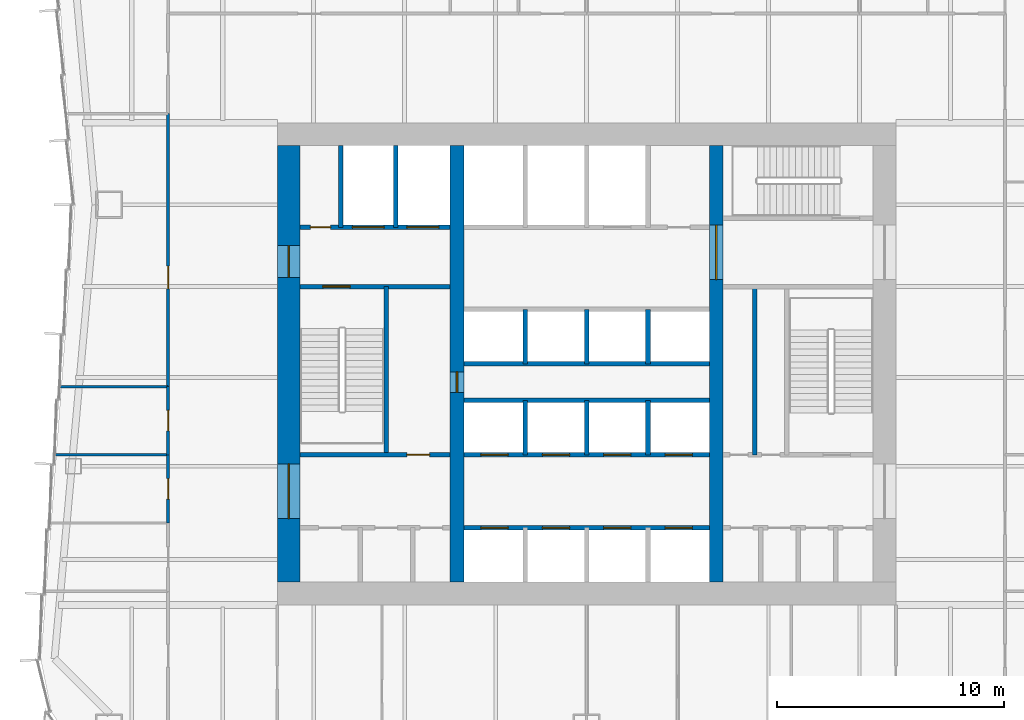
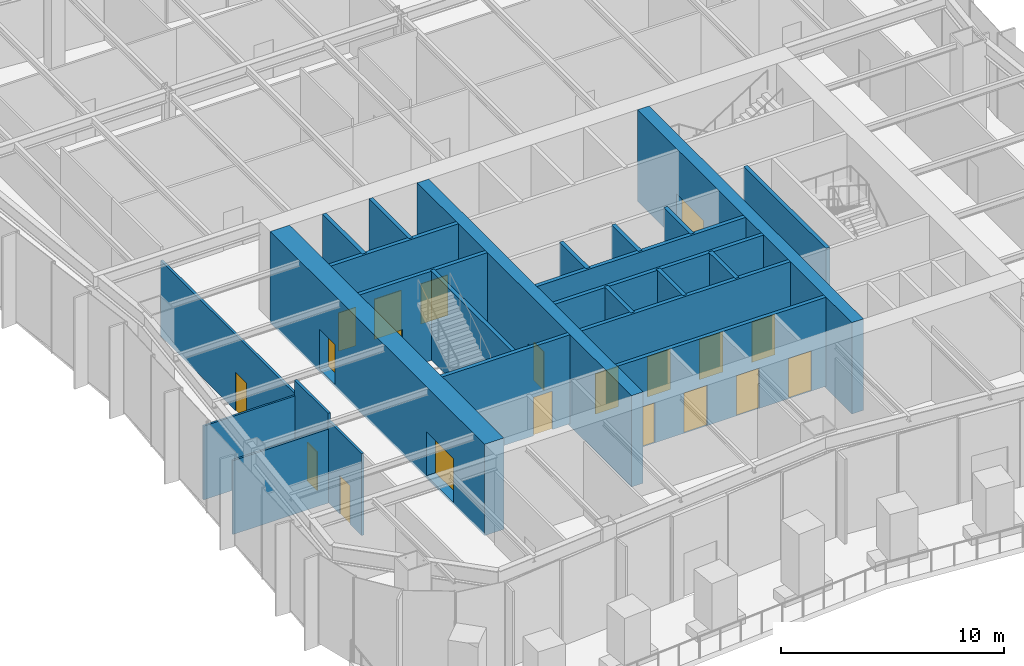
# One storey, part 9 of 15: 25 walls, 20 doors, 20 openings.
"""IFC4 building model written with IfcOpenShell, lengths in metres."""

from ifc_helpers import new_model, si_unit, direction, frame, frame_2d, origin, place, context, subcontext, project, spatial, rectangle, extrude, material, layer, layer_set, type_object, element, fill, save


model = new_model("IFC4")

# Units and contexts
model_context = context("Model", 3, precision=1e-05, world=origin(), true_north=direction((0.0, 1.0)))
body_context = subcontext(model_context, "Body", "Model", "MODEL_VIEW")
ifc_project = project(units=[si_unit("LENGTHUNIT", "METRE"), si_unit("AREAUNIT", "SQUARE_METRE"), si_unit("VOLUMEUNIT", "CUBIC_METRE"), si_unit("PLANEANGLEUNIT", "RADIAN"), si_unit("MASSUNIT", "GRAM", prefix="KILO")], contexts=[model_context])

# Site, building, storey
site_placement = place(None, origin())
site = spatial("IfcSite", under=ifc_project, at=site_placement, CompositionType="ELEMENT")
building_placement = place(site_placement, origin())
building = spatial("IfcBuilding", under=site, at=building_placement, Name="Verdant Reach Tower", CompositionType="ELEMENT")
storey_placement = place(building_placement, frame((0.0, 0.0, 121.0)))
storey = spatial("IfcBuildingStorey", under=building, at=storey_placement, Name="L27", CompositionType="ELEMENT", Elevation=121.0)

# Wall
ifc_material_1 = material(Name="Gypsum board on steel studs", Category="steel")
ifc_layer_1 = layer(ifc_material_1, 0.199951171875)
ifc_layer_set_1 = layer_set([ifc_layer_1], Name="CO-WALL-ROOM")
wall_type_1 = type_object("IfcWallType", Name="CO-WALL-ROOM", PredefinedType="PARTITIONING", material=ifc_layer_set_1)
wall_1_placement = place(storey_placement, frame((7.39990234375, 24.0, 0.0), z_axis=(0.0, 0.0, 1.0), x_axis=(0.0, 1.0, 0.0)))
element("IfcWall", 1, at=wall_1_placement, inside=storey, type_object=wall_type_1, Name="Core partition, L27", PredefinedType="PARTITIONING", context=body_context, shape_type="SweptSolid", body=[
    extrude(rectangle(XDim=7.39990234375, YDim=0.199951171875, at=frame_2d((3.699951171875, 0.0))), origin(), (0.0, 0.0, 1.0), 4.8701171875),
])

# Wall, openings, doors
ifc_material_2 = material(Name="Concrete C40/50", Category="concrete")
ifc_layer_2 = layer(ifc_material_2, 0.199951171875)
ifc_layer_set_2 = layer_set([ifc_layer_2], Name="CO-WALL-SHAFT")
wall_type_2 = type_object("IfcWallType", Name="CO-WALL-SHAFT", PredefinedType="PARTITIONING", material=ifc_layer_set_2)
wall_2_placement = place(storey_placement, frame((-5.39990234375, 20.800048828125, 0.0), z_axis=(0.0, 0.0, 1.0), x_axis=(1.0, 0.0, 0.0)))
wall_2 = element("IfcWall", 2, at=wall_2_placement, inside=storey, type_object=wall_type_2, Name="Lift shaft wall, L27", PredefinedType="PARTITIONING", context=body_context, shape_type="SweptSolid", body=[
    extrude(rectangle(XDim=10.7998046875, YDim=0.199951171875, at=frame_2d((5.39990234375, 0.0))), origin(), (0.0, 0.0, 1.0), 4.8701171875),
])
opening_1_placement = place(wall_2_placement, frame((0.75, 0.0, 0.0)))
opening_1 = element("IfcOpeningElement", 3, at=opening_1_placement, cuts=wall_2, Name="Opening LD-A1", PredefinedType="OPENING", context=body_context, shape_type="SweptSolid", body=[
    extrude(rectangle(XDim=1.199951171875, YDim=2.199951171875, at=frame_2d((0.60009765625, 1.10009765625))), frame((0.0, 0.10986328125, 0.0), z_axis=(0.0, -1.0, 0.0), x_axis=(1.0, 0.0, 0.0)), (0.0, 0.0, 1.0), 0.219970703125),
])
opening_2_placement = place(wall_2_placement, frame((3.449951171875, 0.0, 0.0)))
opening_2 = element("IfcOpeningElement", 4, at=opening_2_placement, cuts=wall_2, Name="Opening LD-A2", PredefinedType="OPENING", context=body_context, shape_type="SweptSolid", body=[
    extrude(rectangle(XDim=1.199951171875, YDim=2.199951171875, at=frame_2d((0.60009765625, 1.10009765625))), frame((0.0, 0.10986328125, 0.0), z_axis=(0.0, -1.0, 0.0), x_axis=(1.0, 0.0, 0.0)), (0.0, 0.0, 1.0), 0.219970703125),
])
opening_3_placement = place(wall_2_placement, frame((6.14990234375, 0.0, 0.0)))
opening_3 = element("IfcOpeningElement", 5, at=opening_3_placement, cuts=wall_2, Name="Opening LD-A3", PredefinedType="OPENING", context=body_context, shape_type="SweptSolid", body=[
    extrude(rectangle(XDim=1.199951171875, YDim=2.199951171875, at=frame_2d((0.60009765625, 1.10009765625))), frame((0.0, 0.10986328125, 0.0), z_axis=(0.0, -1.0, 0.0), x_axis=(1.0, 0.0, 0.0)), (0.0, 0.0, 1.0), 0.219970703125),
])
opening_4_placement = place(wall_2_placement, frame((8.85009765625, 0.0, 0.0)))
opening_4 = element("IfcOpeningElement", 6, at=opening_4_placement, cuts=wall_2, Name="Opening LD-A4", PredefinedType="OPENING", context=body_context, shape_type="SweptSolid", body=[
    extrude(rectangle(XDim=1.199951171875, YDim=2.199951171875, at=frame_2d((0.60009765625, 1.10009765625))), frame((0.0, 0.10986328125, 0.0), z_axis=(0.0, -1.0, 0.0), x_axis=(1.0, 0.0, 0.0)), (0.0, 0.0, 1.0), 0.219970703125),
])
ifc_material_3 = material(Name="Stainless steel", Category="steel")
door_type_1 = type_object("IfcDoorType", Name="CO-DOOR-LANDING", OperationType="SLIDING_TO_LEFT", PredefinedType="DOOR", material=ifc_material_3)
door_1_placement = place(opening_1_placement, origin())
door_1 = element("IfcDoor", 7, at=door_1_placement, inside=storey, type_object=door_type_1, Name="Landing door A1, L27", OperationType="SLIDING_TO_LEFT", OverallHeight=2.199951171875, OverallWidth=1.199951171875, PredefinedType="DOOR", context=body_context, shape_type="SweptSolid", body=[
    extrude(rectangle(XDim=1.199951171875, YDim=2.199951171875, at=frame_2d((0.60009765625, 1.10009765625))), frame((0.0, 0.02490234375, 0.0), z_axis=(0.0, -1.0, 0.0), x_axis=(1.0, 0.0, 0.0)), (0.0, 0.0, 1.0), 0.050048828125),
])
fill(opening_1, door_1)
door_2_placement = place(opening_2_placement, origin())
door_2 = element("IfcDoor", 8, at=door_2_placement, inside=storey, type_object=door_type_1, Name="Landing door A2, L27", OperationType="SLIDING_TO_LEFT", OverallHeight=2.199951171875, OverallWidth=1.199951171875, PredefinedType="DOOR", context=body_context, shape_type="SweptSolid", body=[
    extrude(rectangle(XDim=1.199951171875, YDim=2.199951171875, at=frame_2d((0.60009765625, 1.10009765625))), frame((0.0, 0.02490234375, 0.0), z_axis=(0.0, -1.0, 0.0), x_axis=(1.0, 0.0, 0.0)), (0.0, 0.0, 1.0), 0.050048828125),
])
fill(opening_2, door_2)
door_3_placement = place(opening_3_placement, origin())
door_3 = element("IfcDoor", 9, at=door_3_placement, inside=storey, type_object=door_type_1, Name="Landing door A3, L27", OperationType="SLIDING_TO_LEFT", OverallHeight=2.199951171875, OverallWidth=1.199951171875, PredefinedType="DOOR", context=body_context, shape_type="SweptSolid", body=[
    extrude(rectangle(XDim=1.199951171875, YDim=2.199951171875, at=frame_2d((0.60009765625, 1.10009765625))), frame((0.0, 0.02490234375, 0.0), z_axis=(0.0, -1.0, 0.0), x_axis=(1.0, 0.0, 0.0)), (0.0, 0.0, 1.0), 0.050048828125),
])
fill(opening_3, door_3)
door_4_placement = place(opening_4_placement, origin())
door_4 = element("IfcDoor", 10, at=door_4_placement, inside=storey, type_object=door_type_1, Name="Landing door A4, L27", OperationType="SLIDING_TO_LEFT", OverallHeight=2.199951171875, OverallWidth=1.199951171875, PredefinedType="DOOR", context=body_context, shape_type="SweptSolid", body=[
    extrude(rectangle(XDim=1.199951171875, YDim=2.199951171875, at=frame_2d((0.60009765625, 1.10009765625))), frame((0.0, 0.02490234375, 0.0), z_axis=(0.0, -1.0, 0.0), x_axis=(1.0, 0.0, 0.0)), (0.0, 0.0, 1.0), 0.050048828125),
])
fill(opening_4, door_4)

wall_3_placement = place(storey_placement, frame((-5.39990234375, 24.0, 0.0), z_axis=(0.0, 0.0, 1.0), x_axis=(1.0, 0.0, 0.0)))
wall_3 = element("IfcWall", 11, at=wall_3_placement, inside=storey, type_object=wall_type_2, Name="Lift shaft wall, L27", PredefinedType="PARTITIONING", context=body_context, shape_type="SweptSolid", body=[
    extrude(rectangle(XDim=10.7998046875, YDim=0.199951171875, at=frame_2d((5.39990234375, 0.0))), origin(), (0.0, 0.0, 1.0), 4.8701171875),
])
opening_5_placement = place(wall_3_placement, frame((0.75, 0.0, 0.0)))
opening_5 = element("IfcOpeningElement", 12, at=opening_5_placement, cuts=wall_3, Name="Opening LD-A5", PredefinedType="OPENING", context=body_context, shape_type="SweptSolid", body=[
    extrude(rectangle(XDim=1.199951171875, YDim=2.199951171875, at=frame_2d((0.60009765625, 1.10009765625))), frame((0.0, 0.10986328125, 0.0), z_axis=(0.0, -1.0, 0.0), x_axis=(1.0, 0.0, 0.0)), (0.0, 0.0, 1.0), 0.219970703125),
])
opening_6_placement = place(wall_3_placement, frame((3.449951171875, 0.0, 0.0)))
opening_6 = element("IfcOpeningElement", 13, at=opening_6_placement, cuts=wall_3, Name="Opening LD-A6", PredefinedType="OPENING", context=body_context, shape_type="SweptSolid", body=[
    extrude(rectangle(XDim=1.199951171875, YDim=2.199951171875, at=frame_2d((0.60009765625, 1.10009765625))), frame((0.0, 0.10986328125, 0.0), z_axis=(0.0, -1.0, 0.0), x_axis=(1.0, 0.0, 0.0)), (0.0, 0.0, 1.0), 0.219970703125),
])
opening_7_placement = place(wall_3_placement, frame((6.14990234375, 0.0, 0.0)))
opening_7 = element("IfcOpeningElement", 14, at=opening_7_placement, cuts=wall_3, Name="Opening LD-A7", PredefinedType="OPENING", context=body_context, shape_type="SweptSolid", body=[
    extrude(rectangle(XDim=1.199951171875, YDim=2.199951171875, at=frame_2d((0.60009765625, 1.10009765625))), frame((0.0, 0.10986328125, 0.0), z_axis=(0.0, -1.0, 0.0), x_axis=(1.0, 0.0, 0.0)), (0.0, 0.0, 1.0), 0.219970703125),
])
opening_8_placement = place(wall_3_placement, frame((8.85009765625, 0.0, 0.0)))
opening_8 = element("IfcOpeningElement", 15, at=opening_8_placement, cuts=wall_3, Name="Opening LD-A8", PredefinedType="OPENING", context=body_context, shape_type="SweptSolid", body=[
    extrude(rectangle(XDim=1.199951171875, YDim=2.199951171875, at=frame_2d((0.60009765625, 1.10009765625))), frame((0.0, 0.10986328125, 0.0), z_axis=(0.0, -1.0, 0.0), x_axis=(1.0, 0.0, 0.0)), (0.0, 0.0, 1.0), 0.219970703125),
])
door_5_placement = place(opening_5_placement, origin())
door_5 = element("IfcDoor", 16, at=door_5_placement, inside=storey, type_object=door_type_1, Name="Landing door A5, L27", OperationType="SLIDING_TO_LEFT", OverallHeight=2.199951171875, OverallWidth=1.199951171875, PredefinedType="DOOR", context=body_context, shape_type="SweptSolid", body=[
    extrude(rectangle(XDim=1.199951171875, YDim=2.199951171875, at=frame_2d((0.60009765625, 1.10009765625))), frame((0.0, 0.02490234375, 0.0), z_axis=(0.0, -1.0, 0.0), x_axis=(1.0, 0.0, 0.0)), (0.0, 0.0, 1.0), 0.050048828125),
])
fill(opening_5, door_5)
door_6_placement = place(opening_6_placement, origin())
door_6 = element("IfcDoor", 17, at=door_6_placement, inside=storey, type_object=door_type_1, Name="Landing door A6, L27", OperationType="SLIDING_TO_LEFT", OverallHeight=2.199951171875, OverallWidth=1.199951171875, PredefinedType="DOOR", context=body_context, shape_type="SweptSolid", body=[
    extrude(rectangle(XDim=1.199951171875, YDim=2.199951171875, at=frame_2d((0.60009765625, 1.10009765625))), frame((0.0, 0.02490234375, 0.0), z_axis=(0.0, -1.0, 0.0), x_axis=(1.0, 0.0, 0.0)), (0.0, 0.0, 1.0), 0.050048828125),
])
fill(opening_6, door_6)
door_7_placement = place(opening_7_placement, origin())
door_7 = element("IfcDoor", 18, at=door_7_placement, inside=storey, type_object=door_type_1, Name="Landing door A7, L27", OperationType="SLIDING_TO_LEFT", OverallHeight=2.199951171875, OverallWidth=1.199951171875, PredefinedType="DOOR", context=body_context, shape_type="SweptSolid", body=[
    extrude(rectangle(XDim=1.199951171875, YDim=2.199951171875, at=frame_2d((0.60009765625, 1.10009765625))), frame((0.0, 0.02490234375, 0.0), z_axis=(0.0, -1.0, 0.0), x_axis=(1.0, 0.0, 0.0)), (0.0, 0.0, 1.0), 0.050048828125),
])
fill(opening_7, door_7)
door_8_placement = place(opening_8_placement, origin())
door_8 = element("IfcDoor", 19, at=door_8_placement, inside=storey, type_object=door_type_1, Name="Landing door A8, L27", OperationType="SLIDING_TO_LEFT", OverallHeight=2.199951171875, OverallWidth=1.199951171875, PredefinedType="DOOR", context=body_context, shape_type="SweptSolid", body=[
    extrude(rectangle(XDim=1.199951171875, YDim=2.199951171875, at=frame_2d((0.60009765625, 1.10009765625))), frame((0.0, 0.02490234375, 0.0), z_axis=(0.0, -1.0, 0.0), x_axis=(1.0, 0.0, 0.0)), (0.0, 0.0, 1.0), 0.050048828125),
])
fill(opening_8, door_8)

# Walls
for number, where, z_axis, x_axis, name in (
    (20, (-5.39990234375, 26.39990234375, 0.0), (0.0, 0.0, 1.0), (1.0, 0.0, 0.0), "Lift shaft wall, L27"),
    (21, (-5.39990234375, 28.0, 0.0), (0.0, 0.0, 1.0), (1.0, 0.0, 0.0), "Lift shaft wall, L27"),
):
    element("IfcWall", number, at=place(storey_placement, frame(where, z_axis=z_axis, x_axis=x_axis)), inside=storey, type_object=wall_type_2, Name=name, PredefinedType="PARTITIONING", context=body_context, shape_type="SweptSolid", body=[
        extrude(rectangle(XDim=10.7998046875, YDim=0.199951171875, at=frame_2d((5.39990234375, 0.0))), origin(), (0.0, 0.0, 1.0), 4.8701171875),
    ])

# Wall, openings, doors
wall_4_placement = place(storey_placement, frame((-12.60009765625, 34.0, 0.0), z_axis=(0.0, 0.0, 1.0), x_axis=(1.0, 0.0, 0.0)))
wall_4 = element("IfcWall", 22, at=wall_4_placement, inside=storey, type_object=wall_type_2, Name="Lift shaft wall, L27", PredefinedType="PARTITIONING", context=body_context, shape_type="SweptSolid", body=[
    extrude(rectangle(XDim=6.60009765625, YDim=0.199951171875, at=frame_2d((3.300048828125, 0.0))), origin(), (0.0, 0.0, 1.0), 4.8701171875),
])
opening_9_placement = place(wall_4_placement, frame((4.699951171875, 0.0, 0.0)))
opening_9 = element("IfcOpeningElement", 23, at=opening_9_placement, cuts=wall_4, Name="Opening LD-F1", PredefinedType="OPENING", context=body_context, shape_type="SweptSolid", body=[
    extrude(rectangle(XDim=1.39990234375, YDim=2.199951171875, at=frame_2d((0.699951171875, 1.10009765625))), frame((0.0, 0.10986328125, 0.0), z_axis=(0.0, -1.0, 0.0), x_axis=(1.0, 0.0, 0.0)), (0.0, 0.0, 1.0), 0.219970703125),
])
opening_10_placement = place(wall_4_placement, frame((2.300048828125, 0.0, 0.0)))
opening_10 = element("IfcOpeningElement", 24, at=opening_10_placement, cuts=wall_4, Name="Opening LD-F2", PredefinedType="OPENING", context=body_context, shape_type="SweptSolid", body=[
    extrude(rectangle(XDim=1.39990234375, YDim=2.199951171875, at=frame_2d((0.699951171875, 1.10009765625))), frame((0.0, 0.10986328125, 0.0), z_axis=(0.0, -1.0, 0.0), x_axis=(1.0, 0.0, 0.0)), (0.0, 0.0, 1.0), 0.219970703125),
])
opening_11_placement = place(wall_4_placement, frame((0.449951171875, 0.0, 0.0)))
opening_11 = element("IfcOpeningElement", 25, at=opening_11_placement, cuts=wall_4, Name="Opening RD", PredefinedType="OPENING", context=body_context, shape_type="SweptSolid", body=[
    extrude(rectangle(XDim=0.89990234375, YDim=2.10009765625, at=frame_2d((0.449951171875, 1.050048828125))), frame((0.0, 0.10986328125, 0.0), z_axis=(0.0, -1.0, 0.0), x_axis=(1.0, 0.0, 0.0)), (0.0, 0.0, 1.0), 0.219970703125),
])
door_type_2 = type_object("IfcDoorType", Name="CO-DOOR-LANDING-FF", OperationType="SLIDING_TO_LEFT", PredefinedType="DOOR", material=ifc_material_3)
door_9_placement = place(opening_9_placement, origin())
door_9 = element("IfcDoor", 26, at=door_9_placement, inside=storey, type_object=door_type_2, Name="Landing door F1, L27", OperationType="SLIDING_TO_LEFT", OverallHeight=2.199951171875, OverallWidth=1.39990234375, PredefinedType="DOOR", context=body_context, shape_type="SweptSolid", body=[
    extrude(rectangle(XDim=1.39990234375, YDim=2.199951171875, at=frame_2d((0.699951171875, 1.10009765625))), frame((0.0, 0.02490234375, 0.0), z_axis=(0.0, -1.0, 0.0), x_axis=(1.0, 0.0, 0.0)), (0.0, 0.0, 1.0), 0.050048828125),
])
fill(opening_9, door_9)
door_10_placement = place(opening_10_placement, origin())
door_10 = element("IfcDoor", 27, at=door_10_placement, inside=storey, type_object=door_type_2, Name="Landing door F2, L27", OperationType="SLIDING_TO_LEFT", OverallHeight=2.199951171875, OverallWidth=1.39990234375, PredefinedType="DOOR", context=body_context, shape_type="SweptSolid", body=[
    extrude(rectangle(XDim=1.39990234375, YDim=2.199951171875, at=frame_2d((0.699951171875, 1.10009765625))), frame((0.0, 0.02490234375, 0.0), z_axis=(0.0, -1.0, 0.0), x_axis=(1.0, 0.0, 0.0)), (0.0, 0.0, 1.0), 0.050048828125),
])
fill(opening_10, door_10)
ifc_material_4 = material(Name="Steel", Category="steel")
door_type_3 = type_object("IfcDoorType", Name="CO-DOOR-RISER", OperationType="NOTDEFINED", PredefinedType="DOOR", material=ifc_material_4)
door_11_placement = place(opening_11_placement, origin())
door_11 = element("IfcDoor", 28, at=door_11_placement, inside=storey, type_object=door_type_3, Name="Core room door, L27", OperationType="SINGLE_SWING_RIGHT", OverallHeight=2.10009765625, OverallWidth=0.89990234375, PredefinedType="DOOR", context=body_context, shape_type="SweptSolid", body=[
    extrude(rectangle(XDim=0.89990234375, YDim=2.10009765625, at=frame_2d((0.449951171875, 1.050048828125))), frame((0.0, 0.02490234375, 0.0), z_axis=(0.0, -1.0, 0.0), x_axis=(1.0, 0.0, 0.0)), (0.0, 0.0, 1.0), 0.050048828125),
])
fill(opening_11, door_11)

# Walls
for number, where, z_axis, x_axis, name in (
    (29, (-10.800048828125, 34.0, 0.0), (0.0, 0.0, 1.0), (0.0, 1.0, 0.0), "Lift shaft wall, L27"),
    (30, (-8.39990234375, 34.0, 0.0), (0.0, 0.0, 1.0), (0.0, 1.0, 0.0), "Lift shaft wall, L27"),
):
    element("IfcWall", number, at=place(storey_placement, frame(where, z_axis=z_axis, x_axis=x_axis)), inside=storey, type_object=wall_type_2, Name=name, PredefinedType="PARTITIONING", context=body_context, shape_type="SweptSolid", body=[
        extrude(rectangle(XDim=3.60009765625, YDim=0.199951171875, at=frame_2d((1.800048828125, 0.0))), origin(), (0.0, 0.0, 1.0), 4.8701171875),
    ])
for number, where, z_axis, x_axis, name in (
    (31, (-2.699951171875, 24.0, 0.0), (0.0, 0.0, 1.0), (0.0, 1.0, 0.0), "Lift shaft wall, L27"),
    (32, (-2.699951171875, 28.0, 0.0), (0.0, 0.0, 1.0), (0.0, 1.0, 0.0), "Lift shaft wall, L27"),
    (33, (0.0, 24.0, 0.0), (0.0, 0.0, 1.0), (0.0, 1.0, 0.0), "Lift shaft wall, L27"),
    (34, (0.0, 28.0, 0.0), (0.0, 0.0, 1.0), (0.0, 1.0, 0.0), "Lift shaft wall, L27"),
    (35, (2.699951171875, 24.0, 0.0), (0.0, 0.0, 1.0), (0.0, 1.0, 0.0), "Lift shaft wall, L27"),
    (36, (2.699951171875, 28.0, 0.0), (0.0, 0.0, 1.0), (0.0, 1.0, 0.0), "Lift shaft wall, L27"),
):
    element("IfcWall", number, at=place(storey_placement, frame(where, z_axis=z_axis, x_axis=x_axis)), inside=storey, type_object=wall_type_2, Name=name, PredefinedType="PARTITIONING", context=body_context, shape_type="SweptSolid", body=[
        extrude(rectangle(XDim=2.39990234375, YDim=0.199951171875, at=frame_2d((1.199951171875, 0.0))), origin(), (0.0, 0.0, 1.0), 4.8701171875),
    ])

# Wall, opening, door
ifc_layer_3 = layer(ifc_material_2, 0.199951171875)
ifc_layer_set_3 = layer_set([ifc_layer_3], Name="CO-WALL-STAIR")
wall_type_3 = type_object("IfcWallType", Name="CO-WALL-STAIR", PredefinedType="PARTITIONING", material=ifc_layer_set_3)
wall_5_placement = place(storey_placement, frame((-12.60009765625, 24.0, 0.0), z_axis=(0.0, 0.0, 1.0), x_axis=(1.0, 0.0, 0.0)))
wall_5 = element("IfcWall", 37, at=wall_5_placement, inside=storey, type_object=wall_type_3, Name="Stair enclosure wall, L27", PredefinedType="PARTITIONING", context=body_context, shape_type="SweptSolid", body=[
    extrude(rectangle(XDim=6.60009765625, YDim=0.199951171875, at=frame_2d((3.300048828125, 0.0))), origin(), (0.0, 0.0, 1.0), 4.8701171875),
])
opening_12_placement = place(wall_5_placement, frame((4.699951171875, 0.0, 0.0)))
opening_12 = element("IfcOpeningElement", 38, at=opening_12_placement, cuts=wall_5, Name="Opening CD", PredefinedType="OPENING", context=body_context, shape_type="SweptSolid", body=[
    extrude(rectangle(XDim=1.0, YDim=2.10009765625, at=frame_2d((0.5, 1.050048828125))), frame((0.0, 0.10986328125, 0.0), z_axis=(0.0, -1.0, 0.0), x_axis=(1.0, 0.0, 0.0)), (0.0, 0.0, 1.0), 0.219970703125),
])
ifc_material_5 = material(Name="Timber", Category="wood")
door_type_4 = type_object("IfcDoorType", Name="CO-DOOR-ROOM", OperationType="NOTDEFINED", PredefinedType="DOOR", material=ifc_material_5)
door_12_placement = place(opening_12_placement, origin())
door_12 = element("IfcDoor", 39, at=door_12_placement, inside=storey, type_object=door_type_4, Name="Core room door, L27", OperationType="SINGLE_SWING_LEFT", OverallHeight=2.10009765625, OverallWidth=1.0, PredefinedType="DOOR", context=body_context, shape_type="SweptSolid", body=[
    extrude(rectangle(XDim=1.0, YDim=2.10009765625, at=frame_2d((0.5, 1.050048828125))), frame((0.0, 0.02490234375, 0.0), z_axis=(0.0, -1.0, 0.0), x_axis=(1.0, 0.0, 0.0)), (0.0, 0.0, 1.0), 0.050048828125),
])
fill(opening_12, door_12)

wall_6_placement = place(storey_placement, frame((-12.60009765625, 31.39990234375, 0.0), z_axis=(0.0, 0.0, 1.0), x_axis=(1.0, 0.0, 0.0)))
wall_6 = element("IfcWall", 40, at=wall_6_placement, inside=storey, type_object=wall_type_3, Name="Stair enclosure wall, L27", PredefinedType="PARTITIONING", context=body_context, shape_type="SweptSolid", body=[
    extrude(rectangle(XDim=6.60009765625, YDim=0.199951171875, at=frame_2d((3.300048828125, 0.0))), origin(), (0.0, 0.0, 1.0), 4.8701171875),
])
opening_13_placement = place(wall_6_placement, frame((1.0, 0.0, 0.0)))
opening_13 = element("IfcOpeningElement", 41, at=opening_13_placement, cuts=wall_6, Name="Opening SD", PredefinedType="OPENING", context=body_context, shape_type="SweptSolid", body=[
    extrude(rectangle(XDim=1.199951171875, YDim=2.199951171875, at=frame_2d((0.60009765625, 1.10009765625))), frame((0.0, 0.10986328125, 0.0), z_axis=(0.0, -1.0, 0.0), x_axis=(1.0, 0.0, 0.0)), (0.0, 0.0, 1.0), 0.219970703125),
])
door_type_5 = type_object("IfcDoorType", Name="CO-DOOR-STAIR", OperationType="NOTDEFINED", PredefinedType="DOOR", material=ifc_material_4)
door_13_placement = place(opening_13_placement, origin())
door_13 = element("IfcDoor", 42, at=door_13_placement, inside=storey, type_object=door_type_5, Name="Stair door, L27", OperationType="SINGLE_SWING_RIGHT", OverallHeight=2.199951171875, OverallWidth=1.199951171875, PredefinedType="DOOR", context=body_context, shape_type="SweptSolid", body=[
    extrude(rectangle(XDim=1.199951171875, YDim=2.199951171875, at=frame_2d((0.60009765625, 1.10009765625))), frame((0.0, 0.02490234375, 0.0), z_axis=(0.0, -1.0, 0.0), x_axis=(1.0, 0.0, 0.0)), (0.0, 0.0, 1.0), 0.050048828125),
])
fill(opening_13, door_13)

# Walls
wall_7_placement = place(storey_placement, frame((-8.800048828125, 24.0, 0.0), z_axis=(0.0, 0.0, 1.0), x_axis=(0.0, 1.0, 0.0)))
element("IfcWall", 43, at=wall_7_placement, inside=storey, type_object=wall_type_3, Name="Stair enclosure wall, L27", PredefinedType="PARTITIONING", context=body_context, shape_type="SweptSolid", body=[
    extrude(rectangle(XDim=7.39990234375, YDim=0.199951171875, at=frame_2d((3.699951171875, 0.0))), origin(), (0.0, 0.0, 1.0), 4.8701171875),
])
ifc_layer_4 = layer(ifc_material_1, 0.10009765625)
ifc_layer_set_4 = layer_set([ifc_layer_4], Name="FL-W1 Partition 100")
wall_type_4 = type_object("IfcWallType", Name="FL-W1 Partition 100", PredefinedType="PARTITIONING", material=ifc_layer_set_4)
wall_8_placement = place(storey_placement, frame((-18.39990234375, 24.0, 0.0), z_axis=(0.0, 0.0, 1.0), x_axis=(-1.0, 0.0, 0.0)))
element("IfcWall", 44, at=wall_8_placement, inside=storey, type_object=wall_type_4, Name="Partition 27.21", PredefinedType="PARTITIONING", context=body_context, shape_type="SweptSolid", body=[
    extrude(rectangle(XDim=5.005126953125, YDim=0.10009765625, at=frame_2d((2.50244140625, 0.0))), origin(), (0.0, 0.0, 1.0), 4.0400390625),
])
wall_9_placement = place(storey_placement, frame((-18.39990234375, 27.0, 0.0), z_axis=(0.0, 0.0, 1.0), x_axis=(-1.0, 0.0, 0.0)))
element("IfcWall", 45, at=wall_9_placement, inside=storey, type_object=wall_type_4, Name="Partition 27.22", PredefinedType="PARTITIONING", context=body_context, shape_type="SweptSolid", body=[
    extrude(rectangle(XDim=4.780029296875, YDim=0.10009765625, at=frame_2d((2.39013671875, 0.0))), origin(), (0.0, 0.0, 1.0), 4.0400390625),
])

# Wall, opening, door
ifc_material_6 = material(Name="Gypsum board on steel studs, fire rated", Category="steel")
ifc_layer_5 = layer(ifc_material_6, 0.125)
ifc_layer_set_5 = layer_set([ifc_layer_5], Name="FL-W2 Corridor wall 125")
wall_type_5 = type_object("IfcWallType", Name="FL-W2 Corridor wall 125", PredefinedType="PARTITIONING", material=ifc_layer_set_5)
wall_10_placement = place(storey_placement, frame((-18.39990234375, 21.0, 0.0), z_axis=(0.0, 0.0, 1.0), x_axis=(0.0, 1.0, 0.0)))
wall_10 = element("IfcWall", 46, at=wall_10_placement, inside=storey, type_object=wall_type_5, Name="Partition 27.03", PredefinedType="PARTITIONING", context=body_context, shape_type="SweptSolid", body=[
    extrude(rectangle(XDim=3.0, YDim=0.125, at=frame_2d((1.5, 0.0))), origin(), (0.0, 0.0, 1.0), 4.47998046875),
])
opening_14_placement = place(wall_10_placement, frame((1.050048828125, 0.0, 0.0)))
opening_14 = element("IfcOpeningElement", 47, at=opening_14_placement, cuts=wall_10, Name="Opening D1", PredefinedType="OPENING", context=body_context, shape_type="SweptSolid", body=[
    extrude(rectangle(XDim=0.89990234375, YDim=2.10009765625, at=frame_2d((0.449951171875, 1.050048828125))), frame((0.0, 0.072509765625, 0.0), z_axis=(0.0, -1.0, 0.0), x_axis=(1.0, 0.0, 0.0)), (0.0, 0.0, 1.0), 0.14501953125),
])
ifc_material_7 = material(Name="Painted timber door leaf", Category="wood")
door_type_6 = type_object("IfcDoorType", Name="FL-D1 Door 900x2100", OperationType="NOTDEFINED", PredefinedType="DOOR", material=ifc_material_7)
door_14_placement = place(opening_14_placement, origin())
door_14 = element("IfcDoor", 48, at=door_14_placement, inside=storey, type_object=door_type_6, Name="Door 27-003", OperationType="SINGLE_SWING_LEFT", OverallHeight=2.10009765625, OverallWidth=0.89990234375, PredefinedType="DOOR", context=body_context, shape_type="SweptSolid", body=[
    extrude(rectangle(XDim=0.89990234375, YDim=2.10009765625, at=frame_2d((0.449951171875, 1.050048828125))), frame((0.0, 0.02490234375, 0.0), z_axis=(0.0, -1.0, 0.0), x_axis=(1.0, 0.0, 0.0)), (0.0, 0.0, 1.0), 0.050048828125),
])
fill(opening_14, door_14)

wall_11_placement = place(storey_placement, frame((-18.39990234375, 24.0, 0.0), z_axis=(0.0, 0.0, 1.0), x_axis=(0.0, 1.0, 0.0)))
wall_11 = element("IfcWall", 49, at=wall_11_placement, inside=storey, type_object=wall_type_5, Name="Partition 27.04", PredefinedType="PARTITIONING", context=body_context, shape_type="SweptSolid", body=[
    extrude(rectangle(XDim=3.0, YDim=0.125, at=frame_2d((1.5, 0.0))), origin(), (0.0, 0.0, 1.0), 4.8701171875),
])
opening_15_placement = place(wall_11_placement, frame((1.050048828125, 0.0, 0.0)))
opening_15 = element("IfcOpeningElement", 50, at=opening_15_placement, cuts=wall_11, Name="Opening D1", PredefinedType="OPENING", context=body_context, shape_type="SweptSolid", body=[
    extrude(rectangle(XDim=0.89990234375, YDim=2.10009765625, at=frame_2d((0.449951171875, 1.050048828125))), frame((0.0, 0.072509765625, 0.0), z_axis=(0.0, -1.0, 0.0), x_axis=(1.0, 0.0, 0.0)), (0.0, 0.0, 1.0), 0.14501953125),
])
door_15_placement = place(opening_15_placement, origin())
door_15 = element("IfcDoor", 51, at=door_15_placement, inside=storey, type_object=door_type_6, Name="Door 27-004", OperationType="SINGLE_SWING_RIGHT", OverallHeight=2.10009765625, OverallWidth=0.89990234375, PredefinedType="DOOR", context=body_context, shape_type="SweptSolid", body=[
    extrude(rectangle(XDim=0.89990234375, YDim=2.10009765625, at=frame_2d((0.449951171875, 1.050048828125))), frame((0.0, 0.02490234375, 0.0), z_axis=(0.0, -1.0, 0.0), x_axis=(1.0, 0.0, 0.0)), (0.0, 0.0, 1.0), 0.050048828125),
])
fill(opening_15, door_15)

wall_12_placement = place(storey_placement, frame((-18.39990234375, 27.0, 0.0), z_axis=(0.0, 0.0, 1.0), x_axis=(0.0, 1.0, 0.0)))
wall_12 = element("IfcWall", 52, at=wall_12_placement, inside=storey, type_object=wall_type_5, Name="Partition 27.05", PredefinedType="PARTITIONING", context=body_context, shape_type="SweptSolid", body=[
    extrude(rectangle(XDim=12.0, YDim=0.125, at=frame_2d((6.0, 0.0))), origin(), (0.0, 0.0, 1.0), 4.139892578125),
])
opening_16_placement = place(wall_12_placement, frame((4.300048828125, 0.0, 0.0)))
opening_16 = element("IfcOpeningElement", 53, at=opening_16_placement, cuts=wall_12, Name="Opening D2", PredefinedType="OPENING", context=body_context, shape_type="SweptSolid", body=[
    extrude(rectangle(XDim=1.0, YDim=2.10009765625, at=frame_2d((0.5, 1.050048828125))), frame((0.0, 0.072509765625, 0.0), z_axis=(0.0, -1.0, 0.0), x_axis=(1.0, 0.0, 0.0)), (0.0, 0.0, 1.0), 0.14501953125),
])
ifc_material_8 = material(Name="Timber door leaf, fire rated", Category="wood")
door_type_7 = type_object("IfcDoorType", Name="FL-D2 Entrance door 1000x2100 FD30", OperationType="NOTDEFINED", PredefinedType="DOOR", material=ifc_material_8)
door_16_placement = place(opening_16_placement, origin())
door_16 = element("IfcDoor", 54, at=door_16_placement, inside=storey, type_object=door_type_7, Name="Door 27-005", OperationType="SINGLE_SWING_LEFT", OverallHeight=2.10009765625, OverallWidth=1.0, PredefinedType="DOOR", context=body_context, shape_type="SweptSolid", body=[
    extrude(rectangle(XDim=1.0, YDim=2.10009765625, at=frame_2d((0.5, 1.050048828125))), frame((0.0, 0.02490234375, 0.0), z_axis=(0.0, -1.0, 0.0), x_axis=(1.0, 0.0, 0.0)), (0.0, 0.0, 1.0), 0.050048828125),
])
fill(opening_16, door_16)

# Wall, openings, doors
ifc_material_9 = material(Name="Concrete C70/85", Category="concrete")
ifc_layer_6 = layer(ifc_material_9, 1.0)
ifc_layer_set_6 = layer_set([ifc_layer_6], Name="ST-CORE-WALL-1000")
wall_type_6 = type_object("IfcWallType", Name="ST-CORE-WALL-1000", PredefinedType="SHEAR", material=ifc_layer_set_6)
wall_13_placement = place(storey_placement, frame((-13.10009765625, 18.39990234375, -0.1298828125), z_axis=(0.0, 0.0, 1.0), x_axis=(0.0, 1.0, 0.0)))
wall_13 = element("IfcWall", 55, at=wall_13_placement, inside=storey, type_object=wall_type_6, Name="Core wall W, L27", PredefinedType="SHEAR", context=body_context, shape_type="SweptSolid", body=[
    extrude(rectangle(XDim=19.2001953125, YDim=1.0, at=frame_2d((9.60009765625, 0.0))), origin(), (0.0, 0.0, 1.0), 5.0),
])
opening_17_placement = place(wall_13_placement, frame((2.800048828125, 0.0, 0.1298828125)))
opening_17 = element("IfcOpeningElement", 56, at=opening_17_placement, cuts=wall_13, Name="Opening LB", PredefinedType="OPENING", context=body_context, shape_type="SweptSolid", body=[
    extrude(rectangle(XDim=2.39990234375, YDim=2.39990234375, at=frame_2d((1.199951171875, 1.199951171875))), frame((0.0, 0.510009765625, 0.0), z_axis=(0.0, -1.0, 0.0), x_axis=(1.0, 0.0, 0.0)), (0.0, 0.0, 1.0), 1.02001953125),
])
opening_18_placement = place(wall_13_placement, frame((13.39990234375, 0.0, 0.1298828125)))
opening_18 = element("IfcOpeningElement", 57, at=opening_18_placement, cuts=wall_13, Name="Opening FL", PredefinedType="OPENING", context=body_context, shape_type="SweptSolid", body=[
    extrude(rectangle(XDim=1.39990234375, YDim=2.199951171875, at=frame_2d((0.699951171875, 1.10009765625))), frame((0.0, 0.510009765625, 0.0), z_axis=(0.0, -1.0, 0.0), x_axis=(1.0, 0.0, 0.0)), (0.0, 0.0, 1.0), 1.02001953125),
])
door_type_8 = type_object("IfcDoorType", Name="CO-DOOR-FFL", OperationType="NOTDEFINED", PredefinedType="DOOR", material=ifc_material_4)
door_17_placement = place(opening_18_placement, origin())
door_17 = element("IfcDoor", 58, at=door_17_placement, inside=storey, type_object=door_type_8, Name="Core entrance door, L27", OperationType="SINGLE_SWING_RIGHT", OverallHeight=2.199951171875, OverallWidth=1.39990234375, PredefinedType="DOOR", context=body_context, shape_type="SweptSolid", body=[
    extrude(rectangle(XDim=1.39990234375, YDim=2.199951171875, at=frame_2d((0.699951171875, 1.10009765625))), frame((0.0, 0.02490234375, 0.0), z_axis=(0.0, -1.0, 0.0), x_axis=(1.0, 0.0, 0.0)), (0.0, 0.0, 1.0), 0.050048828125),
])
fill(opening_18, door_17)
ifc_material_10 = material(Name="Glass and steel", Category="steel")
door_type_9 = type_object("IfcDoorType", Name="CO-DOOR-LOBBY", OperationType="DOUBLE_DOOR_SINGLE_SWING", PredefinedType="DOOR", material=ifc_material_10)
door_18_placement = place(opening_17_placement, origin())
door_18 = element("IfcDoor", 59, at=door_18_placement, inside=storey, type_object=door_type_9, Name="Core entrance door, L27", OperationType="DOUBLE_DOOR_SINGLE_SWING", OverallHeight=2.39990234375, OverallWidth=2.39990234375, PredefinedType="DOOR", context=body_context, shape_type="SweptSolid", body=[
    extrude(rectangle(XDim=2.39990234375, YDim=2.39990234375, at=frame_2d((1.199951171875, 1.199951171875))), frame((0.0, 0.02490234375, 0.0), z_axis=(0.0, -1.0, 0.0), x_axis=(1.0, 0.0, 0.0)), (0.0, 0.0, 1.0), 0.050048828125),
])
fill(opening_17, door_18)

# Wall, opening, door
ifc_layer_7 = layer(ifc_material_9, 0.60009765625)
ifc_layer_set_7 = layer_set([ifc_layer_7], Name="ST-CORE-WALL-600")
wall_type_7 = type_object("IfcWallType", Name="ST-CORE-WALL-600", PredefinedType="SHEAR", material=ifc_layer_set_7)
wall_14_placement = place(storey_placement, frame((-5.699951171875, 18.39990234375, -0.1298828125), z_axis=(0.0, 0.0, 1.0), x_axis=(0.0, 1.0, 0.0)))
wall_14 = element("IfcWall", 60, at=wall_14_placement, inside=storey, type_object=wall_type_7, Name="Core wall XW, L27", PredefinedType="SHEAR", context=body_context, shape_type="SweptSolid", body=[
    extrude(rectangle(XDim=19.2001953125, YDim=0.60009765625, at=frame_2d((9.60009765625, 0.0))), origin(), (0.0, 0.0, 1.0), 5.0),
])
opening_19_placement = place(wall_14_placement, frame((8.35009765625, 0.0, 0.1298828125)))
opening_19 = element("IfcOpeningElement", 61, at=opening_19_placement, cuts=wall_14, Name="Opening RD", PredefinedType="OPENING", context=body_context, shape_type="SweptSolid", body=[
    extrude(rectangle(XDim=0.89990234375, YDim=2.10009765625, at=frame_2d((0.449951171875, 1.050048828125))), frame((0.0, 0.31005859375, 0.0), z_axis=(0.0, -1.0, 0.0), x_axis=(1.0, 0.0, 0.0)), (0.0, 0.0, 1.0), 0.6201171875),
])
door_19_placement = place(opening_19_placement, origin())
door_19 = element("IfcDoor", 62, at=door_19_placement, inside=storey, type_object=door_type_3, Name="Riser door, L27", OperationType="SINGLE_SWING_RIGHT", OverallHeight=2.10009765625, OverallWidth=0.89990234375, PredefinedType="DOOR", context=body_context, shape_type="SweptSolid", body=[
    extrude(rectangle(XDim=0.89990234375, YDim=2.10009765625, at=frame_2d((0.449951171875, 1.050048828125))), frame((0.0, 0.02490234375, 0.0), z_axis=(0.0, -1.0, 0.0), x_axis=(1.0, 0.0, 0.0)), (0.0, 0.0, 1.0), 0.050048828125),
])
fill(opening_19, door_19)

wall_15_placement = place(storey_placement, frame((5.699951171875, 18.39990234375, -0.1298828125), z_axis=(0.0, 0.0, 1.0), x_axis=(0.0, 1.0, 0.0)))
wall_15 = element("IfcWall", 63, at=wall_15_placement, inside=storey, type_object=wall_type_7, Name="Core wall XE, L27", PredefinedType="SHEAR", context=body_context, shape_type="SweptSolid", body=[
    extrude(rectangle(XDim=19.2001953125, YDim=0.60009765625, at=frame_2d((9.60009765625, 0.0))), origin(), (0.0, 0.0, 1.0), 5.0),
])
opening_20_placement = place(wall_15_placement, frame((13.300048828125, 0.0, 0.1298828125)))
opening_20 = element("IfcOpeningElement", 64, at=opening_20_placement, cuts=wall_15, Name="Opening LB", PredefinedType="OPENING", context=body_context, shape_type="SweptSolid", body=[
    extrude(rectangle(XDim=2.39990234375, YDim=2.39990234375, at=frame_2d((1.199951171875, 1.199951171875))), frame((0.0, 0.31005859375, 0.0), z_axis=(0.0, -1.0, 0.0), x_axis=(1.0, 0.0, 0.0)), (0.0, 0.0, 1.0), 0.6201171875),
])
door_20_placement = place(opening_20_placement, origin())
door_20 = element("IfcDoor", 65, at=door_20_placement, inside=storey, type_object=door_type_9, Name="Core entrance door, L27", OperationType="DOUBLE_DOOR_SINGLE_SWING", OverallHeight=2.39990234375, OverallWidth=2.39990234375, PredefinedType="DOOR", context=body_context, shape_type="SweptSolid", body=[
    extrude(rectangle(XDim=2.39990234375, YDim=2.39990234375, at=frame_2d((1.199951171875, 1.199951171875))), frame((0.0, 0.02490234375, 0.0), z_axis=(0.0, -1.0, 0.0), x_axis=(1.0, 0.0, 0.0)), (0.0, 0.0, 1.0), 0.050048828125),
])
fill(opening_20, door_20)

save(model, "model.ifc")
